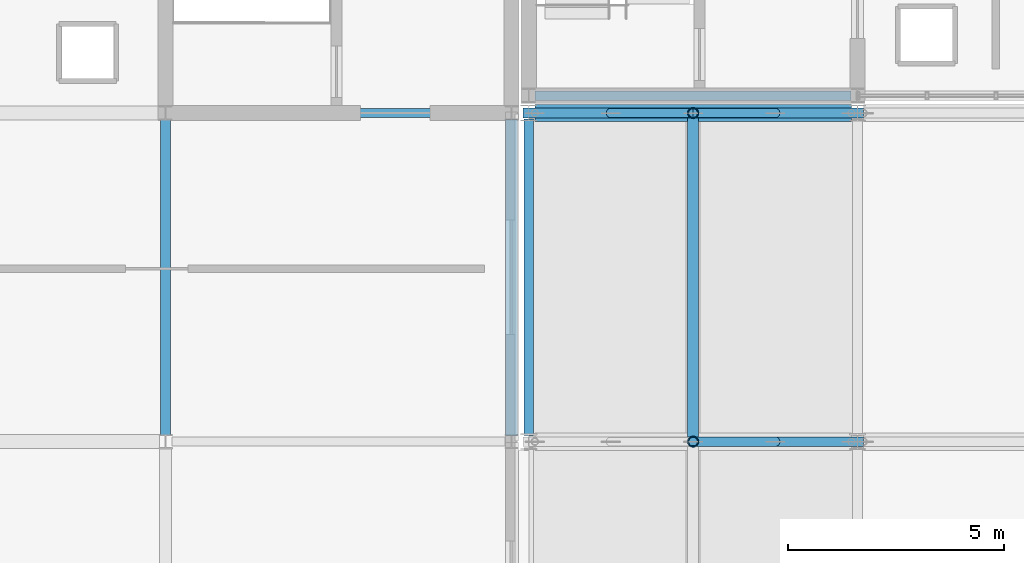
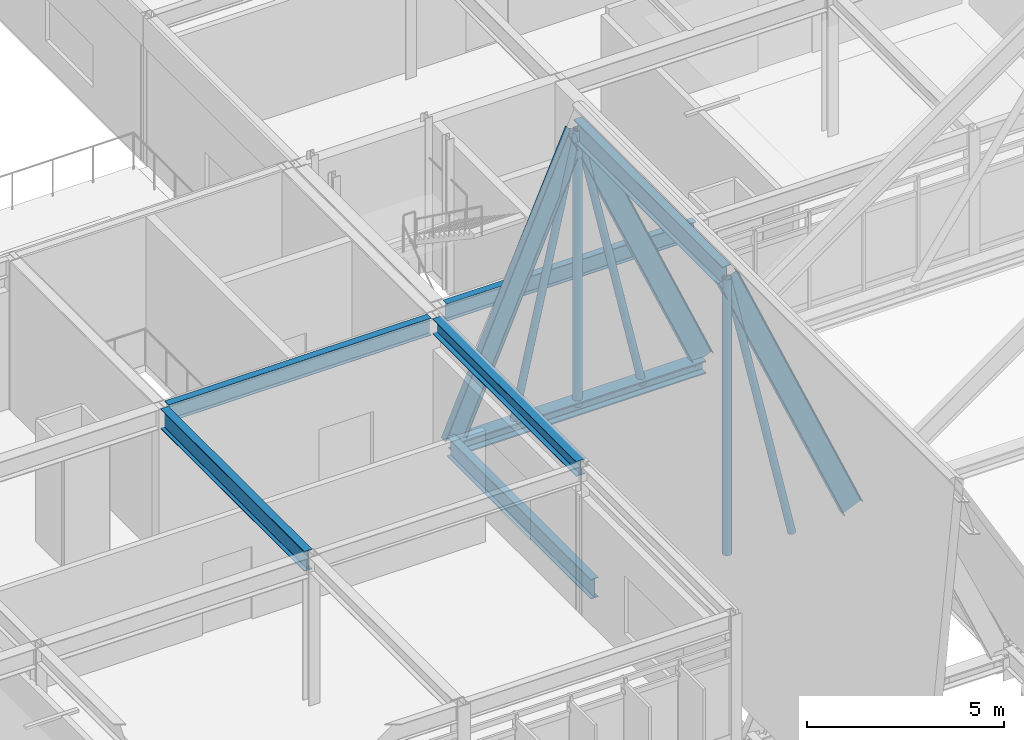
# One storey, part 47 of 100: 9 beams, 6 members.
"""IFC4 building model written with IfcOpenShell, lengths in metres."""

from ifc_helpers import new_model, si_unit, direction, frame, origin, origin_2d, place, context, subcontext, project, spatial, hollow_circle, i_section, extrude, material, material_profile, profile_set, type_object, element, save


model = new_model("IFC4")

# Units and contexts
model_context = context("Model", 3, precision=1e-05, world=origin(), true_north=direction((0.0, 1.0)))
body_context = subcontext(model_context, "Body", "Model", "MODEL_VIEW")
ifc_project = project(units=[si_unit("LENGTHUNIT", "METRE"), si_unit("AREAUNIT", "SQUARE_METRE"), si_unit("VOLUMEUNIT", "CUBIC_METRE"), si_unit("PLANEANGLEUNIT", "RADIAN"), si_unit("MASSUNIT", "GRAM", prefix="KILO")], contexts=[model_context])

# Site, building, storey
site_placement = place(None, origin())
site = spatial("IfcSite", under=ifc_project, at=site_placement, CompositionType="ELEMENT")
building_placement = place(site_placement, origin())
building = spatial("IfcBuilding", under=site, at=building_placement, Name="Zulena Civic Courthouse", CompositionType="ELEMENT")
storey_placement = place(building_placement, frame((0.0, 0.0, 20.39990234375)))
storey = spatial("IfcBuildingStorey", under=building, at=storey_placement, Name="L04", CompositionType="ELEMENT", Elevation=20.39990234375)

# Member
ifc_material_1 = material(Name="Steel ASTM A992 Grade 50", Category="steel")
ifc_material_profile_1 = material_profile(ifc_material_1, i_section(OverallWidth=0.40087890625, OverallDepth=0.39892578125, WebThickness=0.02490234375, FlangeThickness=0.03955078125, FilletRadius=0.01513671875, at=origin_2d()), Name="W14X211")
ifc_profile_set_1 = profile_set([ifc_material_profile_1], Name="Steel ASTM A992 Grade 50")
member_type_1 = type_object("IfcMemberType", Name="Chord_W14X211", PredefinedType="CHORD", material=ifc_profile_set_1)
member_placement = place(storey_placement, frame((124.5400390625, 30.39990234375, 0.325439453125), z_axis=(1.0, 0.0, 0.0), x_axis=(0.0, 1.0, 0.0)))
element("IfcMember", 1, at=member_placement, inside=storey, type_object=member_type_1, Name="mem:fold:tie:05:30.4", PredefinedType="CHORD", context=body_context, shape_type="SweptSolid", body=[
    extrude(i_section(OverallWidth=0.40087890625, OverallDepth=0.39892578125, WebThickness=0.02490234375, FlangeThickness=0.03955078125, FilletRadius=0.01513671875, at=origin_2d()), origin(), (0.0, 0.0, 1.0), 7.320068359375),
])

# Beams
ifc_material_profile_2 = material_profile(ifc_material_1, i_section(OverallWidth=0.22998046875, OverallDepth=0.616943359375, WebThickness=0.01318359375, FlangeThickness=0.022216796875, FilletRadius=0.0126953125, at=origin_2d()), Name="W24X94")
ifc_profile_set_2 = profile_set([ifc_material_profile_2], Name="Steel ASTM A992 Grade 50")
beam_type_1 = type_object("IfcBeamType", Name="Girder_W24X94", PredefinedType="BEAM", material=ifc_profile_set_2)
beam_1_placement = place(storey_placement, frame((116.0, 22.945068359375, 4.28662109375), z_axis=(0.0, 1.0, 0.0), x_axis=(-1.0, 0.0, 0.0)))
element("IfcBeam", 2, at=beam_1_placement, inside=storey, type_object=beam_type_1, Name="beam:Y:V4:L04:116.0:22.8_30.4", PredefinedType="BEAM", context=body_context, shape_type="SweptSolid", body=[
    extrude(i_section(OverallWidth=0.22998046875, OverallDepth=0.616943359375, WebThickness=0.01318359375, FlangeThickness=0.022216796875, FilletRadius=0.0126953125, at=origin_2d()), origin(), (0.0, 0.0, 1.0), 7.309814453125),
])
ifc_material_profile_3 = material_profile(ifc_material_1, i_section(OverallWidth=0.22802734375, OverallDepth=0.60693359375, WebThickness=0.01123046875, FlangeThickness=0.017333984375, FilletRadius=0.0126953125, at=origin_2d()), Name="W24X76")
ifc_profile_set_3 = profile_set([ifc_material_profile_3], Name="Steel ASTM A992 Grade 50")
beam_type_2 = type_object("IfcBeamType", Name="RoofRafter_W24X76", PredefinedType="BEAM", material=ifc_profile_set_3)
for number, where, z_axis, x_axis, name in (
    (3, (128.2099609375, 22.800048828125, 8.885498046875), (0.398543829572, 0.0, -0.91714928769), (0.0, 1.0, 0.0), "beam:fold:rafE:05:22.8"),
    (4, (124.5400390625, 30.39990234375, 0.485595703125), (0.398521406617, 0.0, 0.917159031176), (0.0, 1.0, 0.0), "beam:fold:rafW:05:30.4"),
    (5, (128.2099609375, 30.39990234375, 8.885498046875), (0.398543829572, 0.0, -0.91714928769), (0.0, 1.0, 0.0), "beam:fold:rafE:05:30.4"),
):
    element("IfcBeam", number, at=place(storey_placement, frame(where, z_axis=z_axis, x_axis=x_axis)), inside=storey, type_object=beam_type_2, Name=name, PredefinedType="BEAM", context=body_context, shape_type="SweptSolid", body=[
        extrude(i_section(OverallWidth=0.22802734375, OverallDepth=0.60693359375, WebThickness=0.01123046875, FlangeThickness=0.017333984375, FilletRadius=0.0126953125, at=origin_2d()), origin(), (0.0, 0.0, 1.0), 9.15869140625),
    ])
beam_2_placement = place(storey_placement, frame((124.39990234375, 22.93994140625, 0.485595703125), z_axis=(0.0, 1.0, 0.0), x_axis=(-1.0, 0.0, 0.0)))
element("IfcBeam", 6, at=beam_2_placement, inside=storey, type_object=beam_type_2, Name="beam:fold:val:L04:124.4:22.8", PredefinedType="BEAM", context=body_context, shape_type="SweptSolid", body=[
    extrude(i_section(OverallWidth=0.22802734375, OverallDepth=0.60693359375, WebThickness=0.01123046875, FlangeThickness=0.017333984375, FilletRadius=0.0126953125, at=origin_2d()), origin(), (0.0, 0.0, 1.0), 7.320068359375),
])
ifc_material_profile_4 = material_profile(ifc_material_1, i_section(OverallWidth=0.25390625, OverallDepth=0.68798828125, WebThickness=0.01318359375, FlangeThickness=0.02099609375, FilletRadius=0.0166015625, at=origin_2d()), Name="W27X102")
ifc_profile_set_4 = profile_set([ifc_material_profile_4], Name="Steel ASTM A992 Grade 50")
beam_type_3 = type_object("IfcBeamType", Name="RoofRafter_W27X102", PredefinedType="BEAM", material=ifc_profile_set_4)
beam_3_placement = place(storey_placement, frame((128.199951171875, 22.820068359375, 8.885498046875), z_axis=(0.0, 1.0, 0.0), x_axis=(-1.0, 0.0, 0.0)))
element("IfcBeam", 7, at=beam_3_placement, inside=storey, type_object=beam_type_3, Name="beam:fold:ridge:05:22.8", PredefinedType="BEAM", context=body_context, shape_type="SweptSolid", body=[
    extrude(i_section(OverallWidth=0.25390625, OverallDepth=0.68798828125, WebThickness=0.01318359375, FlangeThickness=0.02099609375, FilletRadius=0.0166015625, at=origin_2d()), origin(), (0.0, 0.0, 1.0), 7.559814453125),
])

# Members
ifc_material_2 = material(Name="Steel ASTM A500 Grade C", Category="steel")
ifc_material_profile_5 = material_profile(ifc_material_2, hollow_circle(Radius=0.126953125, WallThickness=0.01171875, at=origin_2d()), Name="HSS10.000X0.500")
ifc_profile_set_5 = profile_set([ifc_material_profile_5], Name="Steel ASTM A500 Grade C")
member_type_2 = type_object("IfcMemberType", Name="RoofWeb_CHS10", PredefinedType="USERDEFINED", material=ifc_profile_set_5)
for number, where, z_axis, x_axis, name in (
    (8, (128.199951171875, 22.800048828125, 0.325439453125), (0.0, 0.0, 1.0), (1.0, 0.0, 0.0), "mem:fold:king:05:22.8"),
    (9, (128.199951171875, 30.39990234375, 0.325439453125), (0.0, 0.0, 1.0), (1.0, 0.0, 0.0), "mem:fold:king:05:30.4"),
):
    element("IfcMember", number, at=place(storey_placement, frame(where, z_axis=z_axis, x_axis=x_axis)), inside=storey, type_object=member_type_2, Name=name, ObjectType="ROOF TRUSS", PredefinedType="USERDEFINED", context=body_context, shape_type="SweptSolid", body=[
        extrude(hollow_circle(Radius=0.126953125, WallThickness=0.01171875, at=origin_2d()), origin(), (0.0, 0.0, 1.0), 8.56005859375),
    ])
ifc_material_profile_6 = material_profile(ifc_material_2, hollow_circle(Radius=0.109619140625, WallThickness=0.0087890625, at=origin_2d()), Name="HSS8.625X0.375")
ifc_profile_set_6 = profile_set([ifc_material_profile_6], Name="Steel ASTM A500 Grade C")
member_type_3 = type_object("IfcMemberType", Name="RoofWeb_CHS8", PredefinedType="USERDEFINED", material=ifc_profile_set_6)
for number, where, z_axis, x_axis, name in (
    (10, (130.10009765625, 22.800048828125, 0.325439453125), (-0.216703448167, 0.0, 0.976237479076), (0.0, -1.0, 0.0), "mem:fold:diagE:05:22.8"),
    (11, (126.300048828125, 30.39990234375, 0.325439453125), (0.216676912276, 0.0, 0.976243369087), (0.0, 1.0, 0.0), "mem:fold:diagW:05:30.4"),
    (12, (130.10009765625, 30.39990234375, 0.325439453125), (-0.216703448167, 0.0, 0.976237479076), (0.0, -1.0, 0.0), "mem:fold:diagE:05:30.4"),
):
    element("IfcMember", number, at=place(storey_placement, frame(where, z_axis=z_axis, x_axis=x_axis)), inside=storey, type_object=member_type_3, Name=name, ObjectType="ROOF TRUSS", PredefinedType="USERDEFINED", context=body_context, shape_type="SweptSolid", body=[
        extrude(hollow_circle(Radius=0.109619140625, WallThickness=0.0087890625, at=origin_2d()), origin(), (0.0, 0.0, 1.0), 8.768310546875),
    ])

# Beams
ifc_material_profile_7 = material_profile(ifc_material_1, i_section(OverallWidth=0.280029296875, OverallDepth=0.462890625, WebThickness=0.0107421875, FlangeThickness=0.017333984375, FilletRadius=0.01025390625, at=origin_2d()), Name="W18X76")
ifc_profile_set_7 = profile_set([ifc_material_profile_7], Name="Steel ASTM A992 Grade 50")
beam_type_4 = type_object("IfcBeamType", Name="Spandrel_W18X76", PredefinedType="SPANDREL", material=ifc_profile_set_7)
beam_4_placement = place(storey_placement, frame((124.0, 22.945068359375, 4.363525390625), z_axis=(0.0, 1.0, 0.0), x_axis=(-1.0, 0.0, 0.0)))
element("IfcBeam", 13, at=beam_4_placement, inside=storey, type_object=beam_type_4, Name="beam:Y:V4:L04:124.0:22.8_30.4", PredefinedType="SPANDREL", context=body_context, shape_type="SweptSolid", body=[
    extrude(i_section(OverallWidth=0.280029296875, OverallDepth=0.462890625, WebThickness=0.0107421875, FlangeThickness=0.017333984375, FilletRadius=0.01025390625, at=origin_2d()), origin(), (0.0, 0.0, 1.0), 7.309814453125),
])
ifc_material_profile_8 = material_profile(ifc_material_1, i_section(OverallWidth=0.2099609375, OverallDepth=0.537109375, WebThickness=0.010986328125, FlangeThickness=0.017333984375, FilletRadius=0.0126953125, at=origin_2d()), Name="W21X68")
ifc_profile_set_8 = profile_set([ifc_material_profile_8], Name="Steel ASTM A992 Grade 50")
beam_type_5 = type_object("IfcBeamType", Name="Spandrel_W21X68", PredefinedType="SPANDREL", material=ifc_profile_set_8)
beam_5_placement = place(storey_placement, frame((124.544921875, 30.800048828125, 4.276611328125), z_axis=(1.0, 0.0, 0.0), x_axis=(0.0, 1.0, 0.0)))
element("IfcBeam", 14, at=beam_5_placement, inside=storey, type_object=beam_type_5, Name="beam:X:V3:L04:30.8:124.4_132.0", PredefinedType="SPANDREL", context=body_context, shape_type="SweptSolid", body=[
    extrude(i_section(OverallWidth=0.2099609375, OverallDepth=0.537109375, WebThickness=0.010986328125, FlangeThickness=0.017333984375, FilletRadius=0.0126953125, at=origin_2d()), origin(), (0.0, 0.0, 1.0), 7.31005859375),
])
beam_6_placement = place(storey_placement, frame((116.14501953125, 30.39990234375, 4.32666015625), z_axis=(1.0, 0.0, 0.0), x_axis=(0.0, 1.0, 0.0)))
element("IfcBeam", 15, at=beam_6_placement, inside=storey, type_object=beam_type_5, Name="beam:X:V4:L04:30.4:116.0_124.0", PredefinedType="SPANDREL", context=body_context, shape_type="SweptSolid", body=[
    extrude(i_section(OverallWidth=0.2099609375, OverallDepth=0.537109375, WebThickness=0.010986328125, FlangeThickness=0.017333984375, FilletRadius=0.0126953125, at=origin_2d()), origin(), (0.0, 0.0, 1.0), 7.7099609375),
])

save(model, "model.ifc")
